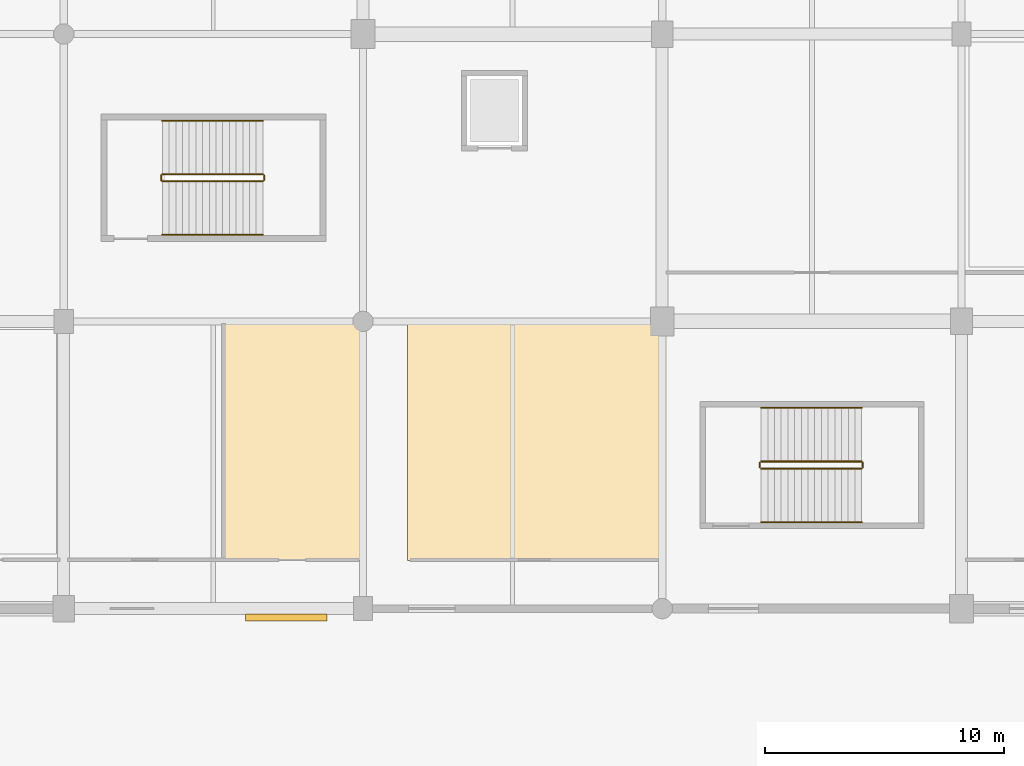
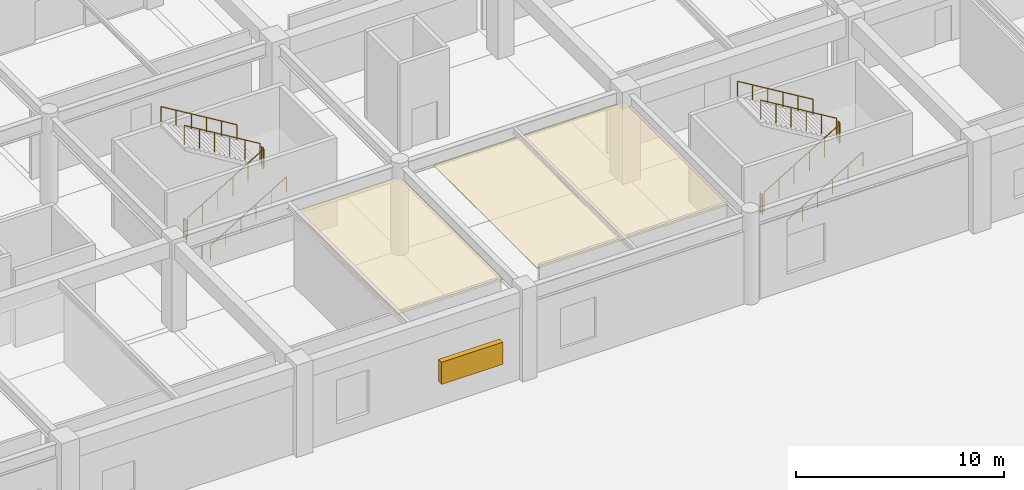
# One storey, part 66 of 69: 12 railings, 2 coverings, 1 shading device.
"""IFC4 building model written with IfcOpenShell, lengths in metres."""

from ifc_helpers import new_model, si_unit, direction, frame, origin, origin_2d, place, context, subcontext, project, spatial, polyline, rectangle, circle, outline, extrude, material, layer, layer_set, type_object, element, save


model = new_model("IFC4")

# Units and contexts
model_context = context("Model", 3, precision=1e-05, world=origin(), true_north=direction((0.0, 1.0)))
body_context = subcontext(model_context, "Body", "Model", "MODEL_VIEW")
ifc_project = project(units=[si_unit("LENGTHUNIT", "METRE"), si_unit("AREAUNIT", "SQUARE_METRE"), si_unit("VOLUMEUNIT", "CUBIC_METRE"), si_unit("PLANEANGLEUNIT", "RADIAN"), si_unit("MASSUNIT", "GRAM", prefix="KILO")], contexts=[model_context])

# Site, building, storey
site_placement = place(None, origin())
site = spatial("IfcSite", under=ifc_project, at=site_placement, CompositionType="ELEMENT")
building_placement = place(site_placement, origin())
building = spatial("IfcBuilding", under=site, at=building_placement, Name="Kazenohara Klinker Stadium", CompositionType="ELEMENT")
storey_placement = place(building_placement, origin())
storey = spatial("IfcBuildingStorey", under=building, at=storey_placement, Name="L00", CompositionType="ELEMENT", Elevation=0.0)

# Coverings
ifc_material_1 = material(Name="Slatted Hokkaido cedar acoustic baffle ceiling", Category="wood")
ifc_layer_1 = layer(ifc_material_1, 0.0400390625)
ifc_layer_set_1 = layer_set([ifc_layer_1], Name="Slatted Hokkaido cedar acoustic baffle ceiling")
covering_type = type_object("IfcCoveringType", Name="COV-CEIL-02", PredefinedType="CEILING", material=ifc_layer_set_1)
covering_1_placement = place(storey_placement, frame((0.0, 0.0, 4.340087890625)))
element("IfcCovering", 1, at=covering_1_placement, inside=storey, type_object=covering_type, Name="Suspended acoustic ceiling CL02 Street-Front Bakery and Cafe Restaurant L00-1011B", PredefinedType="CEILING", context=body_context, shape_type="SweptSolid", body=[
    extrude(outline(polyline([(131.63623046875, 134.010009765625), (137.4599609375, 134.010009765625), (137.4599609375, 143.93994140625), (131.63623046875, 143.93994140625), (131.63623046875, 134.010009765625)])), origin(), (0.0, 0.0, 1.0), 0.039794921875),
])
covering_2_placement = place(storey_placement, frame((0.0, 0.0, 4.340087890625)))
element("IfcCovering", 2, at=covering_2_placement, inside=storey, type_object=covering_type, Name="Suspended acoustic ceiling CL02 Spectator First-Aid Medical Clinic L00-1111A", PredefinedType="CEILING", context=body_context, shape_type="SweptSolid", body=[
    extrude(outline(polyline([(139.35009765625, 134.010009765625), (149.9599609375, 134.010009765625), (149.9599609375, 143.93994140625), (139.35009765625, 143.93994140625), (139.35009765625, 134.010009765625)])), origin(), (0.0, 0.0, 1.0), 0.039794921875),
])

# Railings
ifc_material_2 = material(Name="Brushed stainless steel 304 handrail", Category="steel")
ifc_layer_2 = layer(ifc_material_2, 0.050048828125)
ifc_layer_set_2 = layer_set([ifc_layer_2], Name="Brushed stainless steel 304 handrail")
railing_type_1 = type_object("IfcRailingType", Name="RL-HND-900", PredefinedType="HANDRAIL", material=ifc_layer_set_2)
railing_1_placement = place(storey_placement, frame((129.1201171875, 147.6201171875, 0.168701171875)))
element("IfcRailing", 3, at=railing_1_placement, inside=storey, type_object=railing_type_1, Name="L00 ST11 stair handrail 1", PredefinedType="HANDRAIL", context=body_context, shape_type="SweptSolid", body=[
    extrude(circle(Radius=0.02392578125, at=origin_2d()), frame((0.0, 0.0, 0.8759765625), z_axis=(0.856476492594, 0.0, 0.516186030065), x_axis=(0.0, 1.0, 0.0)), (0.0, 0.0, 1.0), 4.90380859375),
    extrude(circle(Radius=0.02099609375, at=origin_2d()), origin(), (0.0, 0.0, 1.0), 0.851806640625),
    extrude(circle(Radius=0.02099609375, at=origin_2d()), frame((0.840087890625, 0.0, 0.50634765625)), (0.0, 0.0, 1.0), 0.851806640625),
    extrude(circle(Radius=0.02099609375, at=origin_2d()), frame((1.679931640625, 0.0, 1.012451171875)), (0.0, 0.0, 1.0), 0.851806640625),
    extrude(circle(Radius=0.02099609375, at=origin_2d()), frame((2.52001953125, 0.0, 1.518798828125)), (0.0, 0.0, 1.0), 0.851806640625),
    extrude(circle(Radius=0.02099609375, at=origin_2d()), frame((3.35986328125, 0.0, 2.02490234375)), (0.0, 0.0, 1.0), 0.851806640625),
    extrude(circle(Radius=0.02099609375, at=origin_2d()), frame((4.199951171875, 0.0, 2.53125)), (0.0, 0.0, 1.0), 0.851806640625),
])
railing_2_placement = place(storey_placement, frame((133.320068359375, 152.3798828125, 2.86865234375)))
element("IfcRailing", 4, at=railing_2_placement, inside=storey, type_object=railing_type_1, Name="L00 ST11 stair handrail 2", PredefinedType="HANDRAIL", context=body_context, shape_type="SweptSolid", body=[
    extrude(circle(Radius=0.02392578125, at=origin_2d()), frame((0.0, 0.0, 0.8759765625), z_axis=(-0.856476492594, 0.0, 0.516186030065), x_axis=(0.0, -1.0, 0.0)), (0.0, 0.0, 1.0), 4.90380859375),
    extrude(circle(Radius=0.02099609375, at=origin_2d()), origin(), (0.0, 0.0, 1.0), 0.851806640625),
    extrude(circle(Radius=0.02099609375, at=origin_2d()), frame((-0.840087890625, 0.0, 0.50634765625)), (0.0, 0.0, 1.0), 0.851806640625),
    extrude(circle(Radius=0.02099609375, at=origin_2d()), frame((-1.679931640625, 0.0, 1.012451171875)), (0.0, 0.0, 1.0), 0.851806640625),
    extrude(circle(Radius=0.02099609375, at=origin_2d()), frame((-2.52001953125, 0.0, 1.518798828125)), (0.0, 0.0, 1.0), 0.851806640625),
    extrude(circle(Radius=0.02099609375, at=origin_2d()), frame((-3.35986328125, 0.0, 2.02490234375)), (0.0, 0.0, 1.0), 0.851806640625),
    extrude(circle(Radius=0.02099609375, at=origin_2d()), frame((-4.199951171875, 0.0, 2.53125)), (0.0, 0.0, 1.0), 0.851806640625),
])
railing_3_placement = place(storey_placement, frame((154.1298828125, 135.610107421875, 0.168701171875)))
element("IfcRailing", 5, at=railing_3_placement, inside=storey, type_object=railing_type_1, Name="L00 ST20 stair handrail 1", PredefinedType="HANDRAIL", context=body_context, shape_type="SweptSolid", body=[
    extrude(circle(Radius=0.02392578125, at=origin_2d()), frame((0.0, 0.0, 0.8759765625), z_axis=(0.856489757249, 0.0, 0.516164020179), x_axis=(0.0, 1.0, 0.0)), (0.0, 0.0, 1.0), 4.904052734375),
    extrude(circle(Radius=0.02099609375, at=origin_2d()), origin(), (0.0, 0.0, 1.0), 0.851806640625),
    extrude(circle(Radius=0.02099609375, at=origin_2d()), frame((0.840087890625, 0.0, 0.50634765625)), (0.0, 0.0, 1.0), 0.851806640625),
    extrude(circle(Radius=0.02099609375, at=origin_2d()), frame((1.68017578125, 0.0, 1.012451171875)), (0.0, 0.0, 1.0), 0.851806640625),
    extrude(circle(Radius=0.02099609375, at=origin_2d()), frame((2.52001953125, 0.0, 1.518798828125)), (0.0, 0.0, 1.0), 0.851806640625),
    extrude(circle(Radius=0.02099609375, at=origin_2d()), frame((3.360107421875, 0.0, 2.02490234375)), (0.0, 0.0, 1.0), 0.851806640625),
    extrude(circle(Radius=0.02099609375, at=origin_2d()), frame((4.2001953125, 0.0, 2.53125)), (0.0, 0.0, 1.0), 0.851806640625),
])
railing_4_placement = place(storey_placement, frame((158.330078125, 140.389892578125, 2.86865234375)))
element("IfcRailing", 6, at=railing_4_placement, inside=storey, type_object=railing_type_1, Name="L00 ST20 stair handrail 2", PredefinedType="HANDRAIL", context=body_context, shape_type="SweptSolid", body=[
    extrude(circle(Radius=0.02392578125, at=origin_2d()), frame((0.0, 0.0, 0.8759765625), z_axis=(-0.856489757249, 0.0, 0.516164020179), x_axis=(0.0, -1.0, 0.0)), (0.0, 0.0, 1.0), 4.904052734375),
    extrude(circle(Radius=0.02099609375, at=origin_2d()), origin(), (0.0, 0.0, 1.0), 0.851806640625),
    extrude(circle(Radius=0.02099609375, at=origin_2d()), frame((-0.840087890625, 0.0, 0.50634765625)), (0.0, 0.0, 1.0), 0.851806640625),
    extrude(circle(Radius=0.02099609375, at=origin_2d()), frame((-1.68017578125, 0.0, 1.012451171875)), (0.0, 0.0, 1.0), 0.851806640625),
    extrude(circle(Radius=0.02099609375, at=origin_2d()), frame((-2.52001953125, 0.0, 1.518798828125)), (0.0, 0.0, 1.0), 0.851806640625),
    extrude(circle(Radius=0.02099609375, at=origin_2d()), frame((-3.360107421875, 0.0, 2.02490234375)), (0.0, 0.0, 1.0), 0.851806640625),
    extrude(circle(Radius=0.02099609375, at=origin_2d()), frame((-4.2001953125, 0.0, 2.53125)), (0.0, 0.0, 1.0), 0.851806640625),
])
ifc_material_3 = material(Name="Painted steel stairwell guardrail", Category="steel")
ifc_layer_3 = layer(ifc_material_3, 0.06005859375)
ifc_layer_set_3 = layer_set([ifc_layer_3], Name="Painted steel stairwell guardrail")
railing_type_2 = type_object("IfcRailingType", Name="RL-STG-1120", PredefinedType="GUARDRAIL", material=ifc_layer_set_3)
railing_5_placement = place(storey_placement, frame((129.1201171875, 149.85009765625, 0.168701171875)))
element("IfcRailing", 7, at=railing_5_placement, inside=storey, type_object=railing_type_2, Name="L00 ST11 stair guard 1", PredefinedType="GUARDRAIL", context=body_context, shape_type="SweptSolid", body=[
    extrude(circle(Radius=0.02392578125, at=origin_2d()), frame((0.0, 0.0, 1.1259765625), z_axis=(0.856476492594, 0.0, 0.516186030065), x_axis=(0.0, 1.0, 0.0)), (0.0, 0.0, 1.0), 4.90380859375),
    extrude(circle(Radius=0.02099609375, at=origin_2d()), origin(), (0.0, 0.0, 1.0), 1.101806640625),
    extrude(circle(Radius=0.02099609375, at=origin_2d()), frame((0.840087890625, 0.0, 0.50634765625)), (0.0, 0.0, 1.0), 1.101806640625),
    extrude(circle(Radius=0.02099609375, at=origin_2d()), frame((1.679931640625, 0.0, 1.012451171875)), (0.0, 0.0, 1.0), 1.101806640625),
    extrude(circle(Radius=0.02099609375, at=origin_2d()), frame((2.52001953125, 0.0, 1.518798828125)), (0.0, 0.0, 1.0), 1.101806640625),
    extrude(circle(Radius=0.02099609375, at=origin_2d()), frame((3.35986328125, 0.0, 2.02490234375)), (0.0, 0.0, 1.0), 1.101806640625),
    extrude(circle(Radius=0.02099609375, at=origin_2d()), frame((4.199951171875, 0.0, 2.53125)), (0.0, 0.0, 1.0), 1.101806640625),
])
railing_6_placement = place(storey_placement, frame((133.3701171875, 149.89990234375, 2.699951171875)))
element("IfcRailing", 8, at=railing_6_placement, inside=storey, type_object=railing_type_2, Name="L00 ST11 stair guard 2", PredefinedType="GUARDRAIL", context=body_context, shape_type="SweptSolid", body=[
    extrude(circle(Radius=0.02392578125, at=origin_2d()), frame((0.0, 0.0, 1.1259765625), z_axis=(0.0, 1.0, 0.0), x_axis=(-1.0, 0.0, 0.0)), (0.0, 0.0, 1.0), 0.2001953125),
    extrude(circle(Radius=0.02099609375, at=origin_2d()), origin(), (0.0, 0.0, 1.0), 1.101806640625),
    extrude(circle(Radius=0.02099609375, at=origin_2d()), frame((0.0, 0.2001953125, 0.0)), (0.0, 0.0, 1.0), 1.101806640625),
])
railing_7_placement = place(storey_placement, frame((133.320068359375, 150.14990234375, 2.86865234375)))
element("IfcRailing", 9, at=railing_7_placement, inside=storey, type_object=railing_type_2, Name="L00 ST11 stair guard 3", PredefinedType="GUARDRAIL", context=body_context, shape_type="SweptSolid", body=[
    extrude(circle(Radius=0.02392578125, at=origin_2d()), frame((0.0, 0.0, 1.1259765625), z_axis=(-0.856476492594, 0.0, 0.516186030065), x_axis=(0.0, -1.0, 0.0)), (0.0, 0.0, 1.0), 4.90380859375),
    extrude(circle(Radius=0.02099609375, at=origin_2d()), origin(), (0.0, 0.0, 1.0), 1.101806640625),
    extrude(circle(Radius=0.02099609375, at=origin_2d()), frame((-0.840087890625, 0.0, 0.50634765625)), (0.0, 0.0, 1.0), 1.101806640625),
    extrude(circle(Radius=0.02099609375, at=origin_2d()), frame((-1.679931640625, 0.0, 1.012451171875)), (0.0, 0.0, 1.0), 1.101806640625),
    extrude(circle(Radius=0.02099609375, at=origin_2d()), frame((-2.52001953125, 0.0, 1.518798828125)), (0.0, 0.0, 1.0), 1.101806640625),
    extrude(circle(Radius=0.02099609375, at=origin_2d()), frame((-3.35986328125, 0.0, 2.02490234375)), (0.0, 0.0, 1.0), 1.101806640625),
    extrude(circle(Radius=0.02099609375, at=origin_2d()), frame((-4.199951171875, 0.0, 2.53125)), (0.0, 0.0, 1.0), 1.101806640625),
])
railing_8_placement = place(storey_placement, frame((129.070068359375, 149.89990234375, 0.0)))
element("IfcRailing", 10, at=railing_8_placement, inside=storey, type_object=railing_type_2, Name="L00 ST11 stair guard 4", PredefinedType="GUARDRAIL", context=body_context, shape_type="SweptSolid", body=[
    extrude(circle(Radius=0.02392578125, at=origin_2d()), frame((0.0, 0.0, 1.1259765625), z_axis=(0.0, 1.0, 0.0), x_axis=(-1.0, 0.0, 0.0)), (0.0, 0.0, 1.0), 0.2001953125),
    extrude(circle(Radius=0.02099609375, at=origin_2d()), origin(), (0.0, 0.0, 1.0), 1.101806640625),
    extrude(circle(Radius=0.02099609375, at=origin_2d()), frame((0.0, 0.2001953125, 0.0)), (0.0, 0.0, 1.0), 1.101806640625),
])
railing_9_placement = place(storey_placement, frame((154.1298828125, 137.85009765625, 0.168701171875)))
element("IfcRailing", 11, at=railing_9_placement, inside=storey, type_object=railing_type_2, Name="L00 ST20 stair guard 1", PredefinedType="GUARDRAIL", context=body_context, shape_type="SweptSolid", body=[
    extrude(circle(Radius=0.02392578125, at=origin_2d()), frame((0.0, 0.0, 1.1259765625), z_axis=(0.856489757249, 0.0, 0.516164020179), x_axis=(0.0, 1.0, 0.0)), (0.0, 0.0, 1.0), 4.904052734375),
    extrude(circle(Radius=0.02099609375, at=origin_2d()), origin(), (0.0, 0.0, 1.0), 1.101806640625),
    extrude(circle(Radius=0.02099609375, at=origin_2d()), frame((0.840087890625, 0.0, 0.50634765625)), (0.0, 0.0, 1.0), 1.101806640625),
    extrude(circle(Radius=0.02099609375, at=origin_2d()), frame((1.68017578125, 0.0, 1.012451171875)), (0.0, 0.0, 1.0), 1.101806640625),
    extrude(circle(Radius=0.02099609375, at=origin_2d()), frame((2.52001953125, 0.0, 1.518798828125)), (0.0, 0.0, 1.0), 1.101806640625),
    extrude(circle(Radius=0.02099609375, at=origin_2d()), frame((3.360107421875, 0.0, 2.02490234375)), (0.0, 0.0, 1.0), 1.101806640625),
    extrude(circle(Radius=0.02099609375, at=origin_2d()), frame((4.2001953125, 0.0, 2.53125)), (0.0, 0.0, 1.0), 1.101806640625),
])
railing_10_placement = place(storey_placement, frame((158.3798828125, 137.89990234375, 2.699951171875)))
element("IfcRailing", 12, at=railing_10_placement, inside=storey, type_object=railing_type_2, Name="L00 ST20 stair guard 2", PredefinedType="GUARDRAIL", context=body_context, shape_type="SweptSolid", body=[
    extrude(circle(Radius=0.02392578125, at=origin_2d()), frame((0.0, 0.0, 1.1259765625), z_axis=(0.0, 1.0, 0.0), x_axis=(-1.0, 0.0, 0.0)), (0.0, 0.0, 1.0), 0.2001953125),
    extrude(circle(Radius=0.02099609375, at=origin_2d()), origin(), (0.0, 0.0, 1.0), 1.101806640625),
    extrude(circle(Radius=0.02099609375, at=origin_2d()), frame((0.0, 0.2001953125, 0.0)), (0.0, 0.0, 1.0), 1.101806640625),
])
railing_11_placement = place(storey_placement, frame((158.330078125, 138.14990234375, 2.86865234375)))
element("IfcRailing", 13, at=railing_11_placement, inside=storey, type_object=railing_type_2, Name="L00 ST20 stair guard 3", PredefinedType="GUARDRAIL", context=body_context, shape_type="SweptSolid", body=[
    extrude(circle(Radius=0.02392578125, at=origin_2d()), frame((0.0, 0.0, 1.1259765625), z_axis=(-0.856489757249, 0.0, 0.516164020179), x_axis=(0.0, -1.0, 0.0)), (0.0, 0.0, 1.0), 4.904052734375),
    extrude(circle(Radius=0.02099609375, at=origin_2d()), origin(), (0.0, 0.0, 1.0), 1.101806640625),
    extrude(circle(Radius=0.02099609375, at=origin_2d()), frame((-0.840087890625, 0.0, 0.50634765625)), (0.0, 0.0, 1.0), 1.101806640625),
    extrude(circle(Radius=0.02099609375, at=origin_2d()), frame((-1.68017578125, 0.0, 1.012451171875)), (0.0, 0.0, 1.0), 1.101806640625),
    extrude(circle(Radius=0.02099609375, at=origin_2d()), frame((-2.52001953125, 0.0, 1.518798828125)), (0.0, 0.0, 1.0), 1.101806640625),
    extrude(circle(Radius=0.02099609375, at=origin_2d()), frame((-3.360107421875, 0.0, 2.02490234375)), (0.0, 0.0, 1.0), 1.101806640625),
    extrude(circle(Radius=0.02099609375, at=origin_2d()), frame((-4.2001953125, 0.0, 2.53125)), (0.0, 0.0, 1.0), 1.101806640625),
])
railing_12_placement = place(storey_placement, frame((154.080078125, 137.89990234375, 0.0)))
element("IfcRailing", 14, at=railing_12_placement, inside=storey, type_object=railing_type_2, Name="L00 ST20 stair guard 4", PredefinedType="GUARDRAIL", context=body_context, shape_type="SweptSolid", body=[
    extrude(circle(Radius=0.02392578125, at=origin_2d()), frame((0.0, 0.0, 1.1259765625), z_axis=(0.0, 1.0, 0.0), x_axis=(-1.0, 0.0, 0.0)), (0.0, 0.0, 1.0), 0.2001953125),
    extrude(circle(Radius=0.02099609375, at=origin_2d()), origin(), (0.0, 0.0, 1.0), 1.101806640625),
    extrude(circle(Radius=0.02099609375, at=origin_2d()), frame((0.0, 0.2001953125, 0.0)), (0.0, 0.0, 1.0), 1.101806640625),
])

# Shading device
ifc_material_4 = material(Name="Perforated clinker-brick and bronze louvre grille", Category="masonry")
shading_device_type = type_object("IfcShadingDeviceType", Name="SHD-LOUV-01", PredefinedType="JALOUSIE", material=ifc_material_4)
shading_device_placement = place(storey_placement, frame((134.302001953125, 131.6298828125, 1.4501953125), z_axis=(0.0, 0.0, 1.0), x_axis=(1.0, 0.0, 0.0)))
element("IfcShadingDevice", 15, at=shading_device_placement, inside=storey, type_object=shading_device_type, Name="Perforated clinker-brick louvre screen LV01-06", PredefinedType="JALOUSIE", context=body_context, shape_type="SweptSolid", body=[
    extrude(rectangle(XDim=3.39990234375, YDim=0.300048828125, at=origin_2d()), origin(), (0.0, 0.0, 1.0), 1.300048828125),
])

save(model, "model.ifc")
